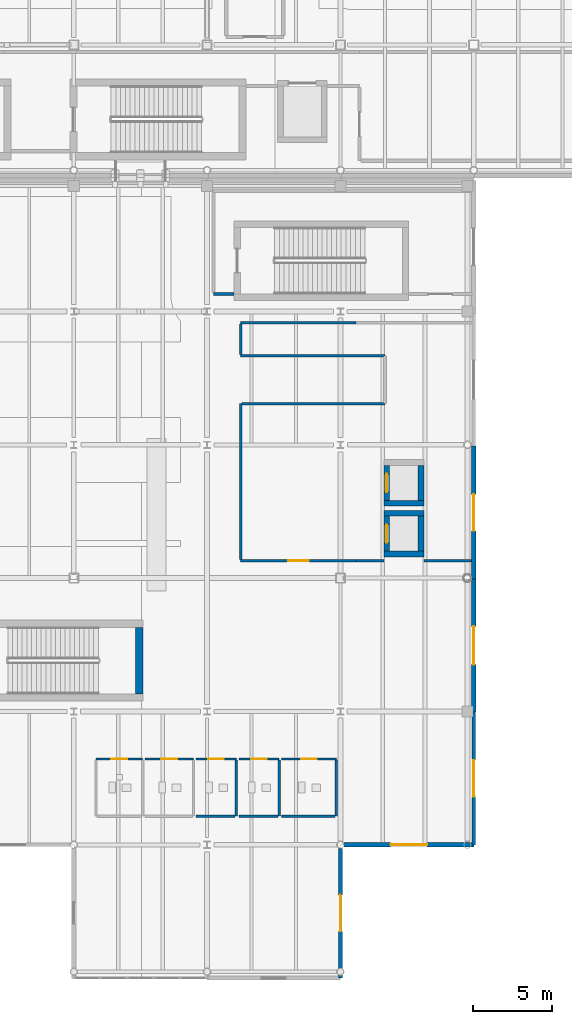
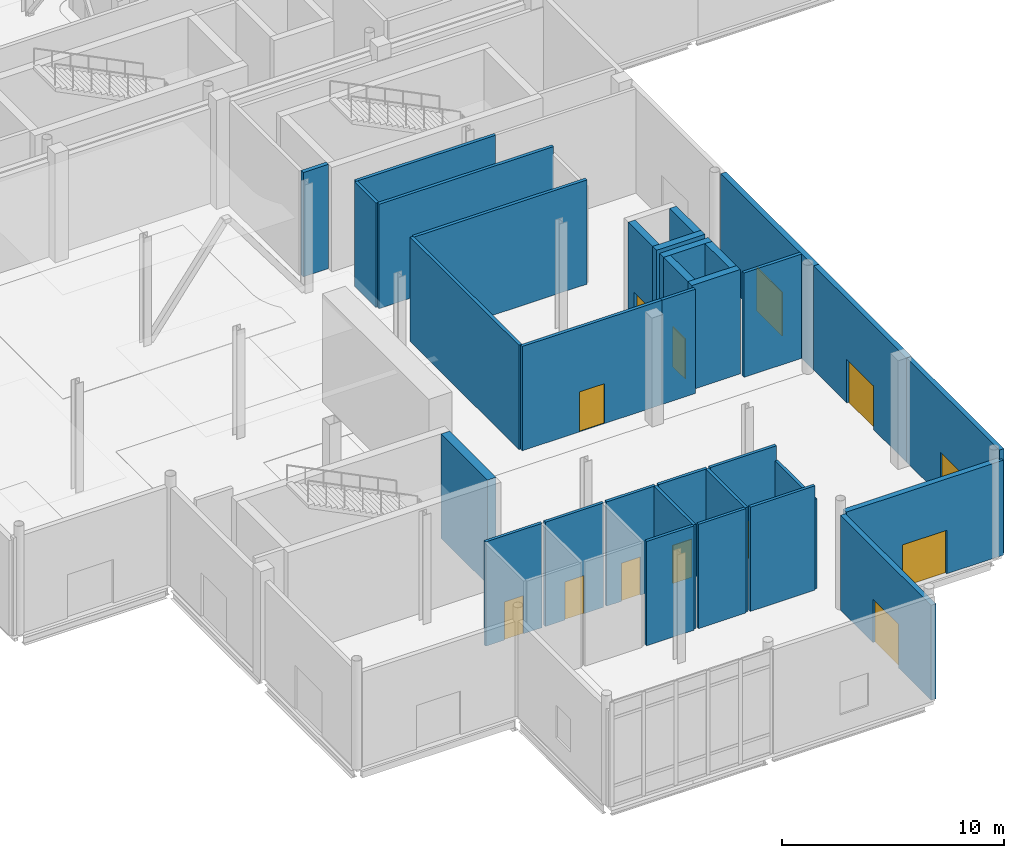
# One storey, part 52 of 85: 33 walls, 13 doors, 13 openings.
"""IFC4 building model written with IfcOpenShell, lengths in metres."""

from ifc_helpers import new_model, si_unit, direction, frame, frame_2d, origin, place, context, subcontext, project, spatial, rectangle, extrude, material, layer, layer_set, type_object, element, fill, save


model = new_model("IFC4")

# Units and contexts
model_context = context("Model", 3, precision=1e-05, world=origin(), true_north=direction((0.0, 1.0)))
body_context = subcontext(model_context, "Body", "Model", "MODEL_VIEW")
ifc_project = project(units=[si_unit("LENGTHUNIT", "METRE"), si_unit("AREAUNIT", "SQUARE_METRE"), si_unit("VOLUMEUNIT", "CUBIC_METRE"), si_unit("PLANEANGLEUNIT", "RADIAN"), si_unit("MASSUNIT", "GRAM", prefix="KILO"), si_unit("THERMODYNAMICTEMPERATUREUNIT", "KELVIN")], contexts=[model_context])

# Site, building, storey
site_placement = place(None, origin())
site = spatial("IfcSite", under=ifc_project, at=site_placement, CompositionType="ELEMENT")
building_placement = place(site_placement, origin())
building = spatial("IfcBuilding", under=site, at=building_placement, Name="Lustrewick Department Store", CompositionType="ELEMENT")
storey_placement = place(building_placement, origin())
storey = spatial("IfcBuildingStorey", under=building, at=storey_placement, Name="L01", CompositionType="ELEMENT", Elevation=0.0)

# Wall, opening, door
ifc_material_1 = material(Name="Precast concrete C40", Category="concrete")
ifc_layer_1 = layer(ifc_material_1, 0.239990234375, Name="Precast concrete C40")
ifc_layer_set_1 = layer_set([ifc_layer_1], Name="Precast concrete C40")
wall_type_1 = type_object("IfcWallType", Name="EW01", PredefinedType="STANDARD", material=ifc_layer_set_1)
wall_1_placement = place(storey_placement, frame((151.199951171875, 8.39990234375, 0.0), z_axis=(0.0, 0.0, 1.0), x_axis=(0.0, 1.0, 0.0)))
wall_1 = element("IfcWall", 1, at=wall_1_placement, inside=storey, type_object=wall_type_1, Name="L01 V3 Exterior Wall EW01", PredefinedType="STANDARD", context=body_context, shape_type="SweptSolid", body=[
    extrude(rectangle(XDim=8.3701171875, YDim=0.239990234375, at=frame_2d((4.18505859375, 0.0))), origin(), (0.0, 0.0, 1.0), 5.7451171875),
])
opening_1_placement = place(wall_1_placement, frame((3.034912109375, 0.0, 0.0)))
opening_1 = element("IfcOpeningElement", 2, at=opening_1_placement, cuts=wall_1, Name="Opening D-EX11", PredefinedType="OPENING", context=body_context, shape_type="SweptSolid", body=[
    extrude(rectangle(XDim=2.300048828125, YDim=2.39990234375, at=frame_2d((1.14990234375, 1.199951171875))), frame((0.0, 0.1298828125, 0.0), z_axis=(0.0, -1.0, 0.0), x_axis=(1.0, 0.0, 0.0)), (0.0, 0.0, 1.0), 0.260009765625),
])
ifc_material_2 = material(Name="Thermally broken glazed aluminium entrance door", Category="aluminium")
door_type_1 = type_object("IfcDoorType", Name="DT-01", OperationType="NOTDEFINED", PredefinedType="DOOR", material=ifc_material_2)
door_1_placement = place(opening_1_placement, frame((2.300048828125, 0.0, 0.0), z_axis=(0.0, 0.0, 1.0), x_axis=(-1.0, 0.0, 0.0)))
door_1 = element("IfcDoor", 3, at=door_1_placement, inside=storey, type_object=door_type_1, Name="L01 Pedestrian Final Exit Door D-EX11", OperationType="DOUBLE_DOOR_SINGLE_SWING", OverallHeight=2.39990234375, OverallWidth=2.300048828125, PredefinedType="DOOR", context=body_context, shape_type="SweptSolid", body=[
    extrude(rectangle(XDim=2.300048828125, YDim=2.39990234375, at=frame_2d((1.14990234375, 1.199951171875))), frame((0.0, 0.02490234375, 0.0), z_axis=(0.0, -1.0, 0.0), x_axis=(1.0, 0.0, 0.0)), (0.0, 0.0, 1.0), 0.050048828125),
])
fill(opening_1, door_1)

ifc_layer_2 = layer(ifc_material_1, 0.260009765625, Name="Precast concrete C40")
ifc_layer_set_2 = layer_set([ifc_layer_2], Name="Precast concrete C40")
wall_type_2 = type_object("IfcWallType", Name="EW02", PredefinedType="STANDARD", material=ifc_layer_set_2)
wall_2_placement = place(storey_placement, frame((142.800048828125, 0.0, 0.0), z_axis=(0.0, 0.0, 1.0), x_axis=(0.0, 1.0, 0.0)))
wall_2 = element("IfcWall", 4, at=wall_2_placement, inside=storey, type_object=wall_type_2, Name="L01 V3 Exterior Wall EW02", PredefinedType="STANDARD", context=body_context, shape_type="SweptSolid", body=[
    extrude(rectangle(XDim=8.176513671875, YDim=0.260009765625, at=frame_2d((4.08837890625, 0.0))), origin(), (0.0, 0.0, 1.0), 5.23095703125),
])
opening_2_placement = place(wall_2_placement, frame((2.938232421875, 0.0, 0.0)))
opening_2 = element("IfcOpeningElement", 5, at=opening_2_placement, cuts=wall_2, Name="Opening D-EX03", PredefinedType="OPENING", context=body_context, shape_type="SweptSolid", body=[
    extrude(rectangle(XDim=2.300048828125, YDim=2.39990234375, at=frame_2d((1.14990234375, 1.199951171875))), frame((0.0, 0.14013671875, 0.0), z_axis=(0.0, -1.0, 0.0), x_axis=(1.0, 0.0, 0.0)), (0.0, 0.0, 1.0), 0.280029296875),
])
door_2_placement = place(opening_2_placement, frame((2.300048828125, 0.0, 0.0), z_axis=(0.0, 0.0, 1.0), x_axis=(-1.0, 0.0, 0.0)))
door_2 = element("IfcDoor", 6, at=door_2_placement, inside=storey, type_object=door_type_1, Name="L01 Pedestrian Final Exit Door D-EX03", OperationType="DOUBLE_DOOR_SINGLE_SWING", OverallHeight=2.39990234375, OverallWidth=2.300048828125, PredefinedType="DOOR", context=body_context, shape_type="SweptSolid", body=[
    extrude(rectangle(XDim=2.300048828125, YDim=2.39990234375, at=frame_2d((1.14990234375, 1.199951171875))), frame((0.0, 0.02490234375, 0.0), z_axis=(0.0, -1.0, 0.0), x_axis=(1.0, 0.0, 0.0)), (0.0, 0.0, 1.0), 0.050048828125),
])
fill(opening_2, door_2)

wall_3_placement = place(storey_placement, frame((151.199951171875, 16.77001953125, 0.0), z_axis=(0.0, 0.0, 1.0), x_axis=(0.0, 1.0, 0.0)))
wall_3 = element("IfcWall", 7, at=wall_3_placement, inside=storey, type_object=wall_type_2, Name="L01 V3 Exterior Wall EW02", PredefinedType="STANDARD", context=body_context, shape_type="SweptSolid", body=[
    extrude(rectangle(XDim=8.369873046875, YDim=0.260009765625, at=frame_2d((4.18505859375, 0.0))), origin(), (0.0, 0.0, 1.0), 5.7451171875),
])
opening_3_placement = place(wall_3_placement, frame((2.985107421875, 0.0, 0.0)))
opening_3 = element("IfcOpeningElement", 8, at=opening_3_placement, cuts=wall_3, Name="Opening D-EX14", PredefinedType="OPENING", context=body_context, shape_type="SweptSolid", body=[
    extrude(rectangle(XDim=2.39990234375, YDim=2.39990234375, at=frame_2d((1.199951171875, 1.199951171875))), frame((0.0, 0.14013671875, 0.0), z_axis=(0.0, -1.0, 0.0), x_axis=(1.0, 0.0, 0.0)), (0.0, 0.0, 1.0), 0.280029296875),
])
door_type_2 = type_object("IfcDoorType", Name="DT-02", OperationType="NOTDEFINED", PredefinedType="DOOR", material=ifc_material_2)
door_3_placement = place(opening_3_placement, frame((2.39990234375, 0.0, 0.0), z_axis=(0.0, 0.0, 1.0), x_axis=(-1.0, 0.0, 0.0)))
door_3 = element("IfcDoor", 9, at=door_3_placement, inside=storey, type_object=door_type_2, Name="L01 Pedestrian Final Exit Door D-EX14", OperationType="DOUBLE_DOOR_SINGLE_SWING", OverallHeight=2.39990234375, OverallWidth=2.39990234375, PredefinedType="DOOR", context=body_context, shape_type="SweptSolid", body=[
    extrude(rectangle(XDim=2.39990234375, YDim=2.39990234375, at=frame_2d((1.199951171875, 1.199951171875))), frame((0.0, 0.02490234375, 0.0), z_axis=(0.0, -1.0, 0.0), x_axis=(1.0, 0.0, 0.0)), (0.0, 0.0, 1.0), 0.050048828125),
])
fill(opening_3, door_3)

ifc_layer_3 = layer(ifc_material_1, 0.280029296875, Name="Precast concrete C40")
ifc_layer_set_3 = layer_set([ifc_layer_3], Name="Precast concrete C40")
wall_type_3 = type_object("IfcWallType", Name="EW03", PredefinedType="STANDARD", material=ifc_layer_set_3)
wall_4_placement = place(storey_placement, frame((143.0234375, 8.39990234375, 0.0), z_axis=(0.0, 0.0, 1.0), x_axis=(1.0, 0.0, 0.0)))
wall_4 = element("IfcWall", 10, at=wall_4_placement, inside=storey, type_object=wall_type_3, Name="L01 V3 Exterior Wall EW03", PredefinedType="STANDARD", context=body_context, shape_type="SweptSolid", body=[
    extrude(rectangle(XDim=8.176513671875, YDim=0.280029296875, at=frame_2d((4.08837890625, 0.0))), origin(), (0.0, 0.0, 1.0), 5.23095703125),
])
opening_4_placement = place(wall_4_placement, frame((2.938232421875, 0.0, 0.0)))
opening_4 = element("IfcOpeningElement", 11, at=opening_4_placement, cuts=wall_4, Name="Opening D-EX07", PredefinedType="OPENING", context=body_context, shape_type="SweptSolid", body=[
    extrude(rectangle(XDim=2.300048828125, YDim=2.39990234375, at=frame_2d((1.14990234375, 1.199951171875))), frame((0.0, 0.14990234375, 0.0), z_axis=(0.0, -1.0, 0.0), x_axis=(1.0, 0.0, 0.0)), (0.0, 0.0, 1.0), 0.300048828125),
])
door_4_placement = place(opening_4_placement, frame((2.300048828125, 0.0, 0.0), z_axis=(0.0, 0.0, 1.0), x_axis=(-1.0, 0.0, 0.0)))
door_4 = element("IfcDoor", 12, at=door_4_placement, inside=storey, type_object=door_type_1, Name="L01 Pedestrian Final Exit Door D-EX07", OperationType="DOUBLE_DOOR_SINGLE_SWING", OverallHeight=2.39990234375, OverallWidth=2.300048828125, PredefinedType="DOOR", context=body_context, shape_type="SweptSolid", body=[
    extrude(rectangle(XDim=2.300048828125, YDim=2.39990234375, at=frame_2d((1.14990234375, 1.199951171875))), frame((0.0, 0.02490234375, 0.0), z_axis=(0.0, -1.0, 0.0), x_axis=(1.0, 0.0, 0.0)), (0.0, 0.0, 1.0), 0.050048828125),
])
fill(opening_4, door_4)

wall_5_placement = place(storey_placement, frame((151.199951171875, 25.139892578125, 0.0), z_axis=(0.0, 0.0, 1.0), x_axis=(0.0, 1.0, 0.0)))
wall_5 = element("IfcWall", 13, at=wall_5_placement, inside=storey, type_object=wall_type_3, Name="L01 V3 Exterior Wall EW03", PredefinedType="STANDARD", context=body_context, shape_type="SweptSolid", body=[
    extrude(rectangle(XDim=8.3701171875, YDim=0.280029296875, at=frame_2d((4.18505859375, 0.0))), origin(), (0.0, 0.0, 1.0), 5.7451171875),
])
opening_5_placement = place(wall_5_placement, frame((3.034912109375, 0.0, 0.0)))
opening_5 = element("IfcOpeningElement", 14, at=opening_5_placement, cuts=wall_5, Name="Opening D-EX17", PredefinedType="OPENING", context=body_context, shape_type="SweptSolid", body=[
    extrude(rectangle(XDim=2.300048828125, YDim=2.39990234375, at=frame_2d((1.14990234375, 1.199951171875))), frame((0.0, 0.14990234375, 0.0), z_axis=(0.0, -1.0, 0.0), x_axis=(1.0, 0.0, 0.0)), (0.0, 0.0, 1.0), 0.300048828125),
])
door_5_placement = place(opening_5_placement, frame((2.300048828125, 0.0, 0.0), z_axis=(0.0, 0.0, 1.0), x_axis=(-1.0, 0.0, 0.0)))
door_5 = element("IfcDoor", 15, at=door_5_placement, inside=storey, type_object=door_type_1, Name="L01 Pedestrian Final Exit Door D-EX17", OperationType="DOUBLE_DOOR_SINGLE_SWING", OverallHeight=2.39990234375, OverallWidth=2.300048828125, PredefinedType="DOOR", context=body_context, shape_type="SweptSolid", body=[
    extrude(rectangle(XDim=2.300048828125, YDim=2.39990234375, at=frame_2d((1.14990234375, 1.199951171875))), frame((0.0, 0.02490234375, 0.0), z_axis=(0.0, -1.0, 0.0), x_axis=(1.0, 0.0, 0.0)), (0.0, 0.0, 1.0), 0.050048828125),
])
fill(opening_5, door_5)

# Wall
ifc_material_3 = material(Name="Autoclaved aerated concrete blockwork and fire board", Category="masonry")
ifc_layer_4 = layer(ifc_material_3, 0.205078125, Name="Autoclaved aerated concrete blockwork and fire board")
ifc_layer_set_4 = layer_set([ifc_layer_4], Name="Autoclaved aerated concrete blockwork and fire board")
wall_type_4 = type_object("IfcWallType", Name="PW02", PredefinedType="PARTITIONING", material=ifc_layer_set_4)
wall_6_placement = place(storey_placement, frame((134.800048828125, 43.10009765625, 0.0), z_axis=(0.0, 0.0, 1.0), x_axis=(1.0, 0.0, 0.0)))
element("IfcWall", 16, at=wall_6_placement, inside=storey, type_object=wall_type_4, Name="L01 Protected Exit Passageway ST08 PW02", PredefinedType="PARTITIONING", context=body_context, shape_type="SweptSolid", body=[
    extrude(rectangle(XDim=1.300048828125, YDim=0.205078125, at=frame_2d((0.64990234375, 0.0))), origin(), (0.0, 0.0, 1.0), 5.7451171875),
])

# Wall, opening, door
ifc_material_4 = material(Name="Double-stud gypsum fire board with mineral wool", Category="gypsum")
ifc_layer_5 = layer(ifc_material_4, 0.1650390625, Name="Double-stud gypsum fire board with mineral wool")
ifc_layer_set_5 = layer_set([ifc_layer_5], Name="Double-stud gypsum fire board with mineral wool")
wall_type_5 = type_object("IfcWallType", Name="PW04", PredefinedType="PARTITIONING", material=ifc_layer_set_5)
wall_7_placement = place(storey_placement, frame((136.510009765625, 26.296630859375, 0.0), z_axis=(0.0, 0.0, 1.0), x_axis=(1.0, 0.0, 0.0)))
wall_7 = element("IfcWall", 17, at=wall_7_placement, inside=storey, type_object=wall_type_5, Name="L01 Merchandise Receiving Room PW04", PredefinedType="PARTITIONING", context=body_context, shape_type="SweptSolid", body=[
    extrude(rectangle(XDim=7.27490234375, YDim=0.1650390625, at=frame_2d((3.637451171875, 0.0))), origin(), (0.0, 0.0, 1.0), 5.7451171875),
])
opening_6_placement = place(wall_7_placement, frame((2.987548828125, 0.0, 0.0)))
opening_6 = element("IfcOpeningElement", 18, at=opening_6_placement, cuts=wall_7, Name="Opening D-L01-059", PredefinedType="OPENING", context=body_context, shape_type="SweptSolid", body=[
    extrude(rectangle(XDim=1.300048828125, YDim=2.199951171875, at=frame_2d((0.64990234375, 1.10009765625))), frame((0.0, 0.092529296875, 0.0), z_axis=(0.0, -1.0, 0.0), x_axis=(1.0, 0.0, 0.0)), (0.0, 0.0, 1.0), 0.18505859375),
])
ifc_material_5 = material(Name="Steel fire door Class A EI 90", Category="steel")
door_type_3 = type_object("IfcDoorType", Name="DT-13", OperationType="NOTDEFINED", PredefinedType="DOOR", material=ifc_material_5)
door_6_placement = place(opening_6_placement, origin())
door_6 = element("IfcDoor", 19, at=door_6_placement, inside=storey, type_object=door_type_3, Name="L01 Merchandise Receiving Room Door D-L01-059", OperationType="SINGLE_SWING_RIGHT", OverallHeight=2.199951171875, OverallWidth=1.300048828125, PredefinedType="DOOR", context=body_context, shape_type="SweptSolid", body=[
    extrude(rectangle(XDim=1.300048828125, YDim=2.199951171875, at=frame_2d((0.64990234375, 1.10009765625))), frame((0.0, 0.02490234375, 0.0), z_axis=(0.0, -1.0, 0.0), x_axis=(1.0, 0.0, 0.0)), (0.0, 0.0, 1.0), 0.050048828125),
])
fill(opening_6, door_6)

# Walls
wall_8_placement = place(storey_placement, frame((148.06005859375, 26.296630859375, 0.0), z_axis=(0.0, 0.0, 1.0), x_axis=(1.0, 0.0, 0.0)))
element("IfcWall", 20, at=wall_8_placement, inside=storey, type_object=wall_type_5, Name="L01 Merchandise Receiving Room PW04", PredefinedType="PARTITIONING", context=body_context, shape_type="SweptSolid", body=[
    extrude(rectangle(XDim=3.0048828125, YDim=0.1650390625, at=frame_2d((1.50244140625, 0.0))), origin(), (0.0, 0.0, 1.0), 5.7451171875),
])
wall_9_placement = place(storey_placement, frame((143.784912109375, 26.296630859375, 0.0), z_axis=(0.0, 0.0, 1.0), x_axis=(1.0, 0.0, 0.0)))
element("IfcWall", 21, at=wall_9_placement, inside=storey, type_object=wall_type_5, Name="L01 Merchandise Receiving Room PW04", PredefinedType="PARTITIONING", context=body_context, shape_type="SweptSolid", body=[
    extrude(rectangle(XDim=1.755126953125, YDim=0.1650390625, at=frame_2d((0.87744140625, 0.0))), origin(), (0.0, 0.0, 1.0), 5.7451171875),
])
wall_10_placement = place(storey_placement, frame((143.784912109375, 41.2900390625, 0.0), z_axis=(0.0, 0.0, 1.0), x_axis=(-1.0, 0.0, 0.0)))
element("IfcWall", 22, at=wall_10_placement, inside=storey, type_object=wall_type_5, Name="L01 Merchandise Receiving Room PW04", PredefinedType="PARTITIONING", context=body_context, shape_type="SweptSolid", body=[
    extrude(rectangle(XDim=7.27490234375, YDim=0.1650390625, at=frame_2d((3.637451171875, 0.0))), origin(), (0.0, 0.0, 1.0), 5.7451171875),
])
wall_11_placement = place(storey_placement, frame((136.510009765625, 36.18994140625, 0.0), z_axis=(0.0, 0.0, 1.0), x_axis=(0.0, -1.0, 0.0)))
element("IfcWall", 23, at=wall_11_placement, inside=storey, type_object=wall_type_5, Name="L01 Merchandise Receiving Room PW04", PredefinedType="PARTITIONING", context=body_context, shape_type="SweptSolid", body=[
    extrude(rectangle(XDim=9.81591796875, YDim=0.1650390625, at=frame_2d((4.907958984375, 0.0))), origin(), (0.0, 0.0, 1.0), 5.7451171875),
])
wall_12_placement = place(storey_placement, frame((136.510009765625, 39.2099609375, 0.0), z_axis=(0.0, 0.0, 1.0), x_axis=(1.0, 0.0, 0.0)))
element("IfcWall", 24, at=wall_12_placement, inside=storey, type_object=wall_type_5, Name="L01 Merchandise Receiving Room PW04", PredefinedType="PARTITIONING", context=body_context, shape_type="SweptSolid", body=[
    extrude(rectangle(XDim=9.090087890625, YDim=0.1650390625, at=frame_2d((4.544921875, 0.0))), origin(), (0.0, 0.0, 1.0), 5.7451171875),
])
wall_13_placement = place(storey_placement, frame((145.60009765625, 36.18994140625, 0.0), z_axis=(0.0, 0.0, 1.0), x_axis=(-1.0, 0.0, 0.0)))
element("IfcWall", 25, at=wall_13_placement, inside=storey, type_object=wall_type_5, Name="L01 Merchandise Receiving Room PW04", PredefinedType="PARTITIONING", context=body_context, shape_type="SweptSolid", body=[
    extrude(rectangle(XDim=9.0126953125, YDim=0.1650390625, at=frame_2d((4.50634765625, 0.0))), origin(), (0.0, 0.0, 1.0), 5.7451171875),
])
wall_14_placement = place(storey_placement, frame((136.510009765625, 41.21240234375, 0.0), z_axis=(0.0, 0.0, 1.0), x_axis=(0.0, -1.0, 0.0)))
element("IfcWall", 26, at=wall_14_placement, inside=storey, type_object=wall_type_5, Name="L01 Merchandise Receiving Room PW04", PredefinedType="PARTITIONING", context=body_context, shape_type="SweptSolid", body=[
    extrude(rectangle(XDim=1.9248046875, YDim=0.1650390625, at=frame_2d((0.96240234375, 0.0))), origin(), (0.0, 0.0, 1.0), 5.7451171875),
])

# Wall, opening, door
ifc_material_6 = material(Name="Moisture-resistant cement board sanitary partition", Category="gypsum")
ifc_layer_6 = layer(ifc_material_6, 0.14990234375, Name="Moisture-resistant cement board sanitary partition")
ifc_layer_set_6 = layer_set([ifc_layer_6], Name="Moisture-resistant cement board sanitary partition")
wall_type_6 = type_object("IfcWallType", Name="PW05", PredefinedType="PARTITIONING", material=ifc_layer_set_6)
wall_15_placement = place(storey_placement, frame((130.340087890625, 13.800048828125, 0.0), z_axis=(0.0, 0.0, 1.0), x_axis=(-1.0, 0.0, 0.0)))
wall_15 = element("IfcWall", 27, at=wall_15_placement, inside=storey, type_object=wall_type_6, Name="L01 Male Public WC PW05", PredefinedType="PARTITIONING", context=body_context, shape_type="SweptSolid", body=[
    extrude(rectangle(XDim=2.940185546875, YDim=0.14990234375, at=frame_2d((1.47021484375, 0.0))), origin(), (0.0, 0.0, 1.0), 5.7451171875),
])
opening_7_placement = place(wall_15_placement, frame((0.969970703125, 0.0, 0.0)))
opening_7 = element("IfcOpeningElement", 28, at=opening_7_placement, cuts=wall_15, Name="Opening D-L01-054", PredefinedType="OPENING", context=body_context, shape_type="SweptSolid", body=[
    extrude(rectangle(XDim=1.0, YDim=2.10009765625, at=frame_2d((0.5, 1.050048828125))), frame((0.0, 0.0849609375, 0.0), z_axis=(0.0, -1.0, 0.0), x_axis=(1.0, 0.0, 0.0)), (0.0, 0.0, 1.0), 0.169921875),
])
ifc_material_7 = material(Name="Moisture-resistant laminate sanitary door", Category="steel")
door_type_4 = type_object("IfcDoorType", Name="DT-11", OperationType="NOTDEFINED", PredefinedType="DOOR", material=ifc_material_7)
door_7_placement = place(opening_7_placement, origin())
door_7 = element("IfcDoor", 29, at=door_7_placement, inside=storey, type_object=door_type_4, Name="L01 Male Public WC Door D-L01-054", OperationType="SINGLE_SWING_LEFT", OverallHeight=2.10009765625, OverallWidth=1.0, PredefinedType="DOOR", context=body_context, shape_type="SweptSolid", body=[
    extrude(rectangle(XDim=1.0, YDim=2.10009765625, at=frame_2d((0.5, 1.050048828125))), frame((0.0, 0.02490234375, 0.0), z_axis=(0.0, -1.0, 0.0), x_axis=(1.0, 0.0, 0.0)), (0.0, 0.0, 1.0), 0.050048828125),
])
fill(opening_7, door_7)

wall_16_placement = place(storey_placement, frame((133.5400390625, 13.800048828125, 0.0), z_axis=(0.0, 0.0, 1.0), x_axis=(-1.0, 0.0, 0.0)))
wall_16 = element("IfcWall", 30, at=wall_16_placement, inside=storey, type_object=wall_type_6, Name="L01 Female Public WC PW05", PredefinedType="PARTITIONING", context=body_context, shape_type="SweptSolid", body=[
    extrude(rectangle(XDim=3.0400390625, YDim=0.14990234375, at=frame_2d((1.52001953125, 0.0))), origin(), (0.0, 0.0, 1.0), 5.7451171875),
])
opening_8_placement = place(wall_16_placement, frame((1.02001953125, 0.0, 0.0)))
opening_8 = element("IfcOpeningElement", 31, at=opening_8_placement, cuts=wall_16, Name="Opening D-L01-055", PredefinedType="OPENING", context=body_context, shape_type="SweptSolid", body=[
    extrude(rectangle(XDim=1.0, YDim=2.10009765625, at=frame_2d((0.5, 1.050048828125))), frame((0.0, 0.0849609375, 0.0), z_axis=(0.0, -1.0, 0.0), x_axis=(1.0, 0.0, 0.0)), (0.0, 0.0, 1.0), 0.169921875),
])
door_8_placement = place(opening_8_placement, origin())
door_8 = element("IfcDoor", 32, at=door_8_placement, inside=storey, type_object=door_type_4, Name="L01 Female Public WC Door D-L01-055", OperationType="SINGLE_SWING_RIGHT", OverallHeight=2.10009765625, OverallWidth=1.0, PredefinedType="DOOR", context=body_context, shape_type="SweptSolid", body=[
    extrude(rectangle(XDim=1.0, YDim=2.10009765625, at=frame_2d((0.5, 1.050048828125))), frame((0.0, 0.02490234375, 0.0), z_axis=(0.0, -1.0, 0.0), x_axis=(1.0, 0.0, 0.0)), (0.0, 0.0, 1.0), 0.050048828125),
])
fill(opening_8, door_8)

wall_17_placement = place(storey_placement, frame((136.239990234375, 13.800048828125, 0.0), z_axis=(0.0, 0.0, 1.0), x_axis=(-1.0, 0.0, 0.0)))
wall_17 = element("IfcWall", 33, at=wall_17_placement, inside=storey, type_object=wall_type_6, Name="L01 Accessible WC PW05", PredefinedType="PARTITIONING", context=body_context, shape_type="SweptSolid", body=[
    extrude(rectangle(XDim=2.5400390625, YDim=0.14990234375, at=frame_2d((1.27001953125, 0.0))), origin(), (0.0, 0.0, 1.0), 5.7451171875),
])
opening_9_placement = place(wall_17_placement, frame((0.780029296875, 0.0, 0.0)))
opening_9 = element("IfcOpeningElement", 34, at=opening_9_placement, cuts=wall_17, Name="Opening D-L01-056", PredefinedType="OPENING", context=body_context, shape_type="SweptSolid", body=[
    extrude(rectangle(XDim=0.97998046875, YDim=2.10009765625, at=frame_2d((0.489990234375, 1.050048828125))), frame((0.0, 0.0849609375, 0.0), z_axis=(0.0, -1.0, 0.0), x_axis=(1.0, 0.0, 0.0)), (0.0, 0.0, 1.0), 0.169921875),
])
ifc_material_8 = material(Name="Barrier-free accessible sanitary door", Category="steel")
door_type_5 = type_object("IfcDoorType", Name="DT-12", OperationType="NOTDEFINED", PredefinedType="DOOR", material=ifc_material_8)
door_9_placement = place(opening_9_placement, origin())
door_9 = element("IfcDoor", 35, at=door_9_placement, inside=storey, type_object=door_type_5, Name="L01 Accessible WC Door D-L01-056", OperationType="SINGLE_SWING_LEFT", OverallHeight=2.10009765625, OverallWidth=0.97998046875, PredefinedType="DOOR", context=body_context, shape_type="SweptSolid", body=[
    extrude(rectangle(XDim=0.97998046875, YDim=2.10009765625, at=frame_2d((0.489990234375, 1.050048828125))), frame((0.0, 0.02490234375, 0.0), z_axis=(0.0, -1.0, 0.0), x_axis=(1.0, 0.0, 0.0)), (0.0, 0.0, 1.0), 0.050048828125),
])
fill(opening_9, door_9)

# Walls
wall_18_placement = place(storey_placement, frame((136.239990234375, 10.199951171875, 0.0), z_axis=(0.0, 0.0, 1.0), x_axis=(0.0, 1.0, 0.0)))
element("IfcWall", 36, at=wall_18_placement, inside=storey, type_object=wall_type_6, Name="L01 Accessible WC PW05", PredefinedType="PARTITIONING", context=body_context, shape_type="SweptSolid", body=[
    extrude(rectangle(XDim=3.530029296875, YDim=0.14990234375, at=frame_2d((1.76513671875, 0.0))), origin(), (0.0, 0.0, 1.0), 5.7451171875),
])
wall_19_placement = place(storey_placement, frame((133.699951171875, 10.199951171875, 0.0), z_axis=(0.0, 0.0, 1.0), x_axis=(1.0, 0.0, 0.0)))
element("IfcWall", 37, at=wall_19_placement, inside=storey, type_object=wall_type_6, Name="L01 Accessible WC PW05", PredefinedType="PARTITIONING", context=body_context, shape_type="SweptSolid", body=[
    extrude(rectangle(XDim=2.469970703125, YDim=0.14990234375, at=frame_2d((1.23486328125, 0.0))), origin(), (0.0, 0.0, 1.0), 5.7451171875),
])

# Wall, opening, door
wall_20_placement = place(storey_placement, frame((138.93994140625, 13.800048828125, 0.0), z_axis=(0.0, 0.0, 1.0), x_axis=(-1.0, 0.0, 0.0)))
wall_20 = element("IfcWall", 38, at=wall_20_placement, inside=storey, type_object=wall_type_6, Name="L01 Staff WC PW05", PredefinedType="PARTITIONING", context=body_context, shape_type="SweptSolid", body=[
    extrude(rectangle(XDim=2.5400390625, YDim=0.14990234375, at=frame_2d((1.27001953125, 0.0))), origin(), (0.0, 0.0, 1.0), 5.7451171875),
])
opening_10_placement = place(wall_20_placement, frame((0.77001953125, 0.0, 0.0)))
opening_10 = element("IfcOpeningElement", 39, at=opening_10_placement, cuts=wall_20, Name="Opening D-L01-057", PredefinedType="OPENING", context=body_context, shape_type="SweptSolid", body=[
    extrude(rectangle(XDim=1.0, YDim=2.10009765625, at=frame_2d((0.5, 1.050048828125))), frame((0.0, 0.0849609375, 0.0), z_axis=(0.0, -1.0, 0.0), x_axis=(1.0, 0.0, 0.0)), (0.0, 0.0, 1.0), 0.169921875),
])
door_10_placement = place(opening_10_placement, origin())
door_10 = element("IfcDoor", 40, at=door_10_placement, inside=storey, type_object=door_type_4, Name="L01 Staff WC Door D-L01-057", OperationType="SINGLE_SWING_RIGHT", OverallHeight=2.10009765625, OverallWidth=1.0, PredefinedType="DOOR", context=body_context, shape_type="SweptSolid", body=[
    extrude(rectangle(XDim=1.0, YDim=2.10009765625, at=frame_2d((0.5, 1.050048828125))), frame((0.0, 0.02490234375, 0.0), z_axis=(0.0, -1.0, 0.0), x_axis=(1.0, 0.0, 0.0)), (0.0, 0.0, 1.0), 0.050048828125),
])
fill(opening_10, door_10)

# Walls
wall_21_placement = place(storey_placement, frame((138.93994140625, 10.199951171875, 0.0), z_axis=(0.0, 0.0, 1.0), x_axis=(0.0, 1.0, 0.0)))
element("IfcWall", 41, at=wall_21_placement, inside=storey, type_object=wall_type_6, Name="L01 Staff WC PW05", PredefinedType="PARTITIONING", context=body_context, shape_type="SweptSolid", body=[
    extrude(rectangle(XDim=3.530029296875, YDim=0.14990234375, at=frame_2d((1.76513671875, 0.0))), origin(), (0.0, 0.0, 1.0), 5.7451171875),
])
wall_22_placement = place(storey_placement, frame((136.39990234375, 10.199951171875, 0.0), z_axis=(0.0, 0.0, 1.0), x_axis=(1.0, 0.0, 0.0)))
element("IfcWall", 42, at=wall_22_placement, inside=storey, type_object=wall_type_6, Name="L01 Staff WC PW05", PredefinedType="PARTITIONING", context=body_context, shape_type="SweptSolid", body=[
    extrude(rectangle(XDim=2.47021484375, YDim=0.14990234375, at=frame_2d((1.235107421875, 0.0))), origin(), (0.0, 0.0, 1.0), 5.7451171875),
])

# Wall, opening, door
wall_23_placement = place(storey_placement, frame((142.5400390625, 13.800048828125, 0.0), z_axis=(0.0, 0.0, 1.0), x_axis=(-1.0, 0.0, 0.0)))
wall_23 = element("IfcWall", 43, at=wall_23_placement, inside=storey, type_object=wall_type_6, Name="L01 Nursery Room PW05", PredefinedType="PARTITIONING", context=body_context, shape_type="SweptSolid", body=[
    extrude(rectangle(XDim=3.43994140625, YDim=0.14990234375, at=frame_2d((1.719970703125, 0.0))), origin(), (0.0, 0.0, 1.0), 5.7451171875),
])
opening_11_placement = place(wall_23_placement, frame((1.22998046875, 0.0, 0.0)))
opening_11 = element("IfcOpeningElement", 44, at=opening_11_placement, cuts=wall_23, Name="Opening D-L01-058", PredefinedType="OPENING", context=body_context, shape_type="SweptSolid", body=[
    extrude(rectangle(XDim=0.97998046875, YDim=2.10009765625, at=frame_2d((0.489990234375, 1.050048828125))), frame((0.0, 0.0849609375, 0.0), z_axis=(0.0, -1.0, 0.0), x_axis=(1.0, 0.0, 0.0)), (0.0, 0.0, 1.0), 0.169921875),
])
door_11_placement = place(opening_11_placement, origin())
door_11 = element("IfcDoor", 45, at=door_11_placement, inside=storey, type_object=door_type_5, Name="L01 Nursery Room Door D-L01-058", OperationType="SINGLE_SWING_LEFT", OverallHeight=2.10009765625, OverallWidth=0.97998046875, PredefinedType="DOOR", context=body_context, shape_type="SweptSolid", body=[
    extrude(rectangle(XDim=0.97998046875, YDim=2.10009765625, at=frame_2d((0.489990234375, 1.050048828125))), frame((0.0, 0.02490234375, 0.0), z_axis=(0.0, -1.0, 0.0), x_axis=(1.0, 0.0, 0.0)), (0.0, 0.0, 1.0), 0.050048828125),
])
fill(opening_11, door_11)

# Walls
wall_24_placement = place(storey_placement, frame((142.5400390625, 10.199951171875, 0.0), z_axis=(0.0, 0.0, 1.0), x_axis=(0.0, 1.0, 0.0)))
element("IfcWall", 46, at=wall_24_placement, inside=storey, type_object=wall_type_6, Name="L01 Nursery Room PW05", PredefinedType="PARTITIONING", context=body_context, shape_type="SweptSolid", body=[
    extrude(rectangle(XDim=3.530029296875, YDim=0.14990234375, at=frame_2d((1.76513671875, 0.0))), origin(), (0.0, 0.0, 1.0), 4.93701171875),
])
wall_25_placement = place(storey_placement, frame((139.10009765625, 10.199951171875, 0.0), z_axis=(0.0, 0.0, 1.0), x_axis=(1.0, 0.0, 0.0)))
element("IfcWall", 47, at=wall_25_placement, inside=storey, type_object=wall_type_6, Name="L01 Nursery Room PW05", PredefinedType="PARTITIONING", context=body_context, shape_type="SweptSolid", body=[
    extrude(rectangle(XDim=3.369873046875, YDim=0.14990234375, at=frame_2d((1.68505859375, 0.0))), origin(), (0.0, 0.0, 1.0), 5.7451171875),
])
ifc_material_9 = material(Name="Concrete C50", Category="concrete")
ifc_layer_7 = layer(ifc_material_9, 0.449951171875, Name="Concrete C50")
ifc_layer_set_7 = layer_set([ifc_layer_7], Name="Concrete C50")
wall_type_7 = type_object("IfcWallType", Name="SW01", PredefinedType="SHEAR", material=ifc_layer_set_7)
wall_26_placement = place(storey_placement, frame((130.125, 17.89990234375, 0.0), z_axis=(0.0, 0.0, 1.0), x_axis=(0.0, 1.0, 0.0)))
element("IfcWall", 48, at=wall_26_placement, inside=storey, type_object=wall_type_7, Name="L01 Stair Core ST07 Shear Wall E", PredefinedType="SHEAR", context=body_context, shape_type="SweptSolid", body=[
    extrude(rectangle(XDim=4.2001953125, YDim=0.449951171875, at=frame_2d((2.10009765625, 0.0))), origin(), (0.0, 0.0, 1.0), 5.7451171875),
])
ifc_material_10 = material(Name="Concrete C40", Category="concrete")
ifc_layer_8 = layer(ifc_material_10, 0.360107421875, Name="Concrete C40")
ifc_layer_set_8 = layer_set([ifc_layer_8], Name="Concrete C40")
wall_type_8 = type_object("IfcWallType", Name="SW04", PredefinedType="SHEAR", material=ifc_layer_set_8)
wall_27_placement = place(storey_placement, frame((145.5400390625, 26.719970703125, 0.0), z_axis=(0.0, 0.0, 1.0), x_axis=(1.0, 0.0, 0.0)))
element("IfcWall", 49, at=wall_27_placement, inside=storey, type_object=wall_type_8, Name="L01 Lift PL-05 Shaft Wall -Y", PredefinedType="SHEAR", context=body_context, shape_type="SweptSolid", body=[
    extrude(rectangle(XDim=2.52001953125, YDim=0.360107421875, at=frame_2d((1.260009765625, 0.0))), origin(), (0.0, 0.0, 1.0), 5.7451171875),
])
wall_28_placement = place(storey_placement, frame((147.8798828125, 26.89990234375, 0.0), z_axis=(0.0, 0.0, 1.0), x_axis=(0.0, 1.0, 0.0)))
element("IfcWall", 50, at=wall_28_placement, inside=storey, type_object=wall_type_8, Name="L01 Lift PL-05 Shaft Wall +X", PredefinedType="SHEAR", context=body_context, shape_type="SweptSolid", body=[
    extrude(rectangle(XDim=2.2001953125, YDim=0.360107421875, at=frame_2d((1.10009765625, 0.0))), origin(), (0.0, 0.0, 1.0), 5.7451171875),
])
wall_29_placement = place(storey_placement, frame((148.06005859375, 29.280029296875, 0.0), z_axis=(0.0, 0.0, 1.0), x_axis=(-1.0, 0.0, 0.0)))
element("IfcWall", 51, at=wall_29_placement, inside=storey, type_object=wall_type_8, Name="L01 Lift PL-05 Shaft Wall +Y", PredefinedType="SHEAR", context=body_context, shape_type="SweptSolid", body=[
    extrude(rectangle(XDim=2.52001953125, YDim=0.360107421875, at=frame_2d((1.260009765625, 0.0))), origin(), (0.0, 0.0, 1.0), 5.7451171875),
])

# Wall, opening, door
wall_30_placement = place(storey_placement, frame((145.719970703125, 29.10009765625, 0.0), z_axis=(0.0, 0.0, 1.0), x_axis=(0.0, -1.0, 0.0)))
wall_30 = element("IfcWall", 52, at=wall_30_placement, inside=storey, type_object=wall_type_8, Name="L01 Lift PL-05 Shaft Wall -X", PredefinedType="SHEAR", context=body_context, shape_type="SweptSolid", body=[
    extrude(rectangle(XDim=2.2001953125, YDim=0.360107421875, at=frame_2d((1.10009765625, 0.0))), origin(), (0.0, 0.0, 1.0), 5.7451171875),
])
opening_12_placement = place(wall_30_placement, frame((0.52490234375, 0.0, 0.0)))
opening_12 = element("IfcOpeningElement", 53, at=opening_12_placement, cuts=wall_30, Name="Opening LD-L01-09", PredefinedType="OPENING", context=body_context, shape_type="SweptSolid", body=[
    extrude(rectangle(XDim=1.14990234375, YDim=2.199951171875, at=frame_2d((0.574951171875, 1.10009765625))), frame((0.0, 0.18994140625, 0.0), z_axis=(0.0, -1.0, 0.0), x_axis=(1.0, 0.0, 0.0)), (0.0, 0.0, 1.0), 0.380126953125),
])
ifc_material_11 = material(Name="Brushed bronze passenger lift landing door EI 60", Category="steel")
door_type_6 = type_object("IfcDoorType", Name="DT-16", OperationType="NOTDEFINED", PredefinedType="DOOR", material=ifc_material_11)
door_12_placement = place(opening_12_placement, frame((1.14990234375, 0.0, 0.0), z_axis=(0.0, 0.0, 1.0), x_axis=(-1.0, 0.0, 0.0)))
door_12 = element("IfcDoor", 54, at=door_12_placement, inside=storey, type_object=door_type_6, Name="L01 Lift PL-05 Sliding Landing Door LD-L01-09", OperationType="DOUBLE_DOOR_SLIDING", OverallHeight=2.199951171875, OverallWidth=1.14990234375, PredefinedType="DOOR", context=body_context, shape_type="SweptSolid", body=[
    extrude(rectangle(XDim=1.14990234375, YDim=2.199951171875, at=frame_2d((0.574951171875, 1.10009765625))), frame((0.0, 0.02490234375, 0.0), z_axis=(0.0, -1.0, 0.0), x_axis=(1.0, 0.0, 0.0)), (0.0, 0.0, 1.0), 0.050048828125),
])
fill(opening_12, door_12)

# Walls
wall_31_placement = place(storey_placement, frame((145.5400390625, 29.919921875, 0.0), z_axis=(0.0, 0.0, 1.0), x_axis=(1.0, 0.0, 0.0)))
element("IfcWall", 55, at=wall_31_placement, inside=storey, type_object=wall_type_8, Name="L01 Lift PL-06 Shaft Wall -Y", PredefinedType="SHEAR", context=body_context, shape_type="SweptSolid", body=[
    extrude(rectangle(XDim=2.52001953125, YDim=0.360107421875, at=frame_2d((1.260009765625, 0.0))), origin(), (0.0, 0.0, 1.0), 5.7451171875),
])
wall_32_placement = place(storey_placement, frame((147.8798828125, 30.10009765625, 0.0), z_axis=(0.0, 0.0, 1.0), x_axis=(0.0, 1.0, 0.0)))
element("IfcWall", 56, at=wall_32_placement, inside=storey, type_object=wall_type_8, Name="L01 Lift PL-06 Shaft Wall +X", PredefinedType="SHEAR", context=body_context, shape_type="SweptSolid", body=[
    extrude(rectangle(XDim=2.199951171875, YDim=0.360107421875, at=frame_2d((1.10009765625, 0.0))), origin(), (0.0, 0.0, 1.0), 5.7451171875),
])

# Wall, opening, door
wall_33_placement = place(storey_placement, frame((145.719970703125, 32.300048828125, 0.0), z_axis=(0.0, 0.0, 1.0), x_axis=(0.0, -1.0, 0.0)))
wall_33 = element("IfcWall", 57, at=wall_33_placement, inside=storey, type_object=wall_type_8, Name="L01 Lift PL-06 Shaft Wall -X", PredefinedType="SHEAR", context=body_context, shape_type="SweptSolid", body=[
    extrude(rectangle(XDim=2.199951171875, YDim=0.360107421875, at=frame_2d((1.10009765625, 0.0))), origin(), (0.0, 0.0, 1.0), 5.7451171875),
])
opening_13_placement = place(wall_33_placement, frame((0.52490234375, 0.0, 0.0)))
opening_13 = element("IfcOpeningElement", 58, at=opening_13_placement, cuts=wall_33, Name="Opening LD-L01-10", PredefinedType="OPENING", context=body_context, shape_type="SweptSolid", body=[
    extrude(rectangle(XDim=1.14990234375, YDim=2.199951171875, at=frame_2d((0.574951171875, 1.10009765625))), frame((0.0, 0.18994140625, 0.0), z_axis=(0.0, -1.0, 0.0), x_axis=(1.0, 0.0, 0.0)), (0.0, 0.0, 1.0), 0.380126953125),
])
door_13_placement = place(opening_13_placement, frame((1.14990234375, 0.0, 0.0), z_axis=(0.0, 0.0, 1.0), x_axis=(-1.0, 0.0, 0.0)))
door_13 = element("IfcDoor", 59, at=door_13_placement, inside=storey, type_object=door_type_6, Name="L01 Lift PL-06 Sliding Landing Door LD-L01-10", OperationType="DOUBLE_DOOR_SLIDING", OverallHeight=2.199951171875, OverallWidth=1.14990234375, PredefinedType="DOOR", context=body_context, shape_type="SweptSolid", body=[
    extrude(rectangle(XDim=1.14990234375, YDim=2.199951171875, at=frame_2d((0.574951171875, 1.10009765625))), frame((0.0, 0.02490234375, 0.0), z_axis=(0.0, -1.0, 0.0), x_axis=(1.0, 0.0, 0.0)), (0.0, 0.0, 1.0), 0.050048828125),
])
fill(opening_13, door_13)

save(model, "model.ifc")
